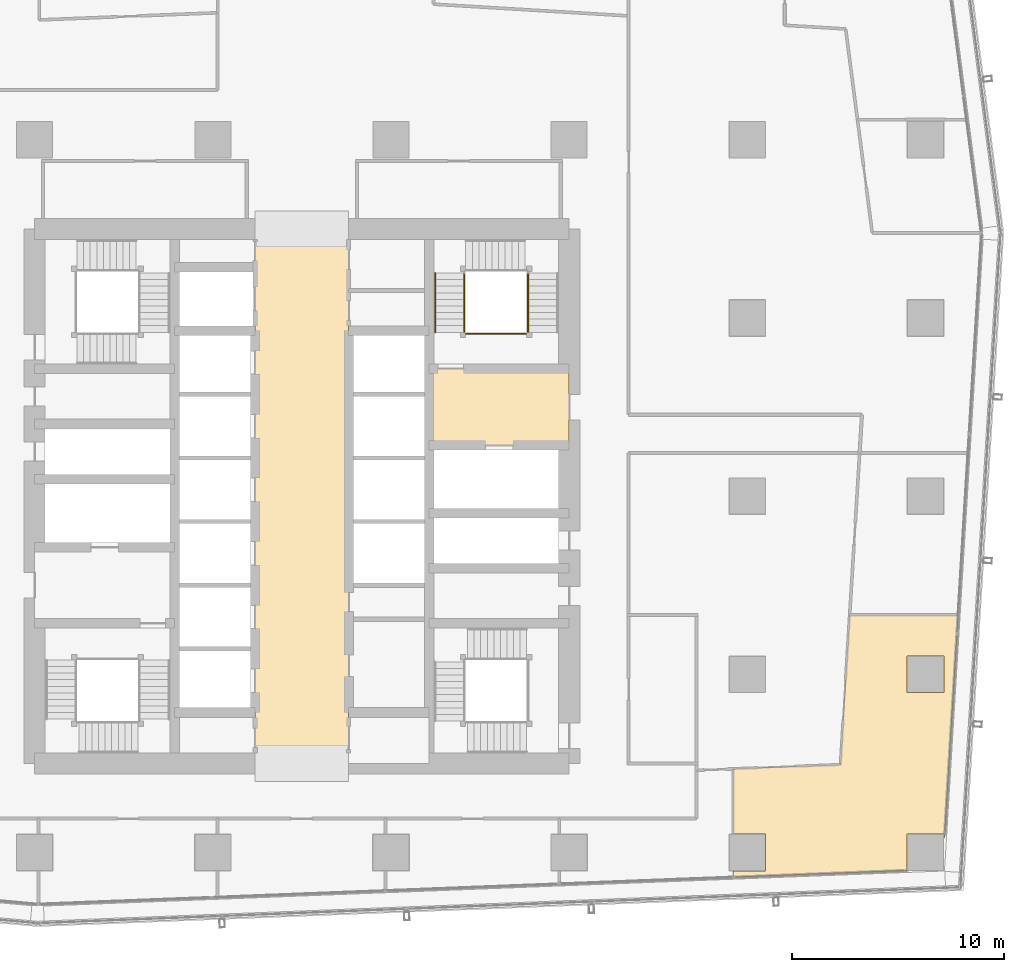
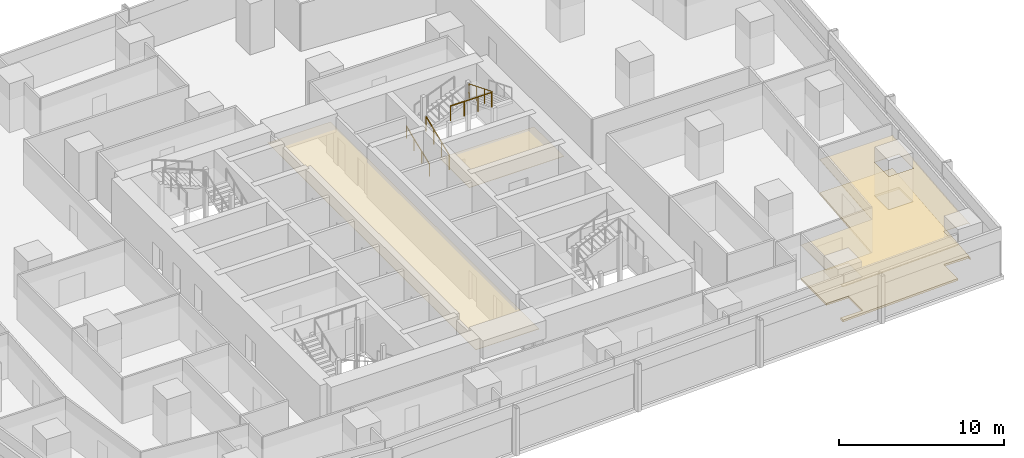
# One storey, part 38 of 40: 4 coverings, 4 railings.
"""IFC4 building model written with IfcOpenShell, lengths in metres."""

from ifc_helpers import new_model, si_unit, direction, frame, origin, origin_2d, place, context, subcontext, project, spatial, polyline, circle, outline, extrude, material, layer, layer_set, type_object, element, save


model = new_model("IFC4")

# Units and contexts
model_context = context("Model", 3, precision=1e-05, world=origin(), true_north=direction((0.0, 1.0)))
body_context = subcontext(model_context, "Body", "Model", "MODEL_VIEW")
ifc_project = project(units=[si_unit("LENGTHUNIT", "METRE"), si_unit("AREAUNIT", "SQUARE_METRE"), si_unit("VOLUMEUNIT", "CUBIC_METRE"), si_unit("PLANEANGLEUNIT", "RADIAN"), si_unit("MASSUNIT", "GRAM", prefix="KILO")], contexts=[model_context])

# Site, building, storey
site_placement = place(None, origin())
site = spatial("IfcSite", under=ifc_project, at=site_placement, CompositionType="ELEMENT")
building_placement = place(site_placement, origin())
building = spatial("IfcBuilding", under=site, at=building_placement, Name="Rekha Terrace Tower", CompositionType="ELEMENT")
storey_placement = place(building_placement, frame((0.0, 0.0, 132.800048828125)))
storey = spatial("IfcBuildingStorey", under=building, at=storey_placement, Name="L33", CompositionType="ELEMENT", Elevation=132.800048828125)

# Coverings
ifc_material_1 = material(Name="Mineral fibre tile in exposed grid", Category="finish")
ifc_layer_1 = layer(ifc_material_1, 0.02001953125)
ifc_layer_set_1 = layer_set([ifc_layer_1], Name="Mineral fibre tile in exposed grid")
covering_type_1 = type_object("IfcCoveringType", Name="CL1 600x1200 office grid ceiling", PredefinedType="CEILING", material=ifc_layer_set_1)
covering_1_placement = place(storey_placement, frame((0.0, 0.0, 2.579833984375)))
element("IfcCovering", 1, at=covering_1_placement, inside=storey, type_object=covering_type_1, Name="Ceiling L33-04", PredefinedType="CEILING", context=body_context, shape_type="SweptSolid", body=[
    extrude(outline(polyline([(63.625, 27.99609375), (63.193115234375, 20.93896484375), (58.134033203125, 20.741943359375), (58.134033203125, 17.6650390625), (59.6650390625, 17.6650390625), (59.6650390625, 15.93505859375), (58.134033203125, 15.93505859375), (58.134033203125, 15.637939453125), (66.3349609375, 15.95703125), (66.3349609375, 17.6650390625), (68.06494140625, 17.6650390625), (68.06494140625, 17.48095703125), (68.090087890625, 17.48095703125), (68.735107421875, 27.99609375), (63.625, 27.99609375)]), holes=[polyline([(68.06494140625, 24.3349609375), (66.3349609375, 24.3349609375), (66.3349609375, 26.06494140625), (68.06494140625, 26.06494140625), (68.06494140625, 24.3349609375)])]), origin(), (0.0, 0.0, 1.0), 0.02001953125),
])
ifc_material_2 = material(Name="Powder-coated aluminium pan", Category="aluminium")
ifc_layer_2 = layer(ifc_material_2, 0.030029296875)
ifc_layer_set_2 = layer_set([ifc_layer_2], Name="Powder-coated aluminium pan")
covering_type_2 = type_object("IfcCoveringType", Name="CL3 300x1200 metal pan ceiling", PredefinedType="CEILING", material=ifc_layer_set_2)
covering_2_placement = place(storey_placement, frame((0.0, 0.0, 2.570068359375)))
element("IfcCovering", 2, at=covering_2_placement, inside=storey, type_object=covering_type_2, Name="Ceiling L33-LOBBY", PredefinedType="CEILING", context=body_context, shape_type="SweptSolid", body=[
    extrude(outline(polyline([(40.0, 46.199951171875), (35.60009765625, 46.199951171875), (35.60009765625, 21.0), (40.0, 21.0), (40.0, 46.199951171875)])), origin(), (0.0, 0.0, 1.0), 0.02978515625),
])
covering_3_placement = place(storey_placement, frame((0.0, 0.0, 2.570068359375)))
element("IfcCovering", 3, at=covering_3_placement, inside=storey, type_object=covering_type_2, Name="Ceiling L33-FLB2", PredefinedType="CEILING", context=body_context, shape_type="SweptSolid", body=[
    extrude(outline(polyline([(50.39990234375, 39.60009765625), (43.800048828125, 39.60009765625), (43.800048828125, 36.0), (50.39990234375, 36.0), (50.39990234375, 39.60009765625)])), origin(), (0.0, 0.0, 1.0), 0.02978515625),
])

# Railings
ifc_material_3 = material(Name="Stainless steel balustrade", Category="steel")
railing_type_1 = type_object("IfcRailingType", Name="GR1 1100 stair guard", PredefinedType="GUARDRAIL", material=ifc_material_3)
railing_1_placement = place(storey_placement, frame((45.465087890625, 41.324951171875, 0.125)))
element("IfcRailing", 4, at=railing_1_placement, inside=storey, type_object=railing_type_1, Name="Guard ST2 L33 flight 1", PredefinedType="GUARDRAIL", context=body_context, shape_type="SweptSolid", body=[
    extrude(circle(Radius=0.02392578125, at=origin_2d()), frame((0.0, 0.0, 1.076171875), z_axis=(0.0, 0.927443287984, 0.373963831907), x_axis=(-1.0, 0.0, 0.0)), (0.0, 0.0, 1.0), 3.00830078125),
    extrude(circle(Radius=0.02099609375, at=origin_2d()), origin(), (0.0, 0.0, 1.0), 1.052001953125),
    extrude(circle(Radius=0.02099609375, at=origin_2d()), frame((0.0, 0.929931640625, 0.375)), (0.0, 0.0, 1.0), 1.052001953125),
    extrude(circle(Radius=0.02099609375, at=origin_2d()), frame((0.0, 1.860107421875, 0.75)), (0.0, 0.0, 1.0), 1.052001953125),
    extrude(circle(Radius=0.02099609375, at=origin_2d()), frame((0.0, 2.7900390625, 1.125)), (0.0, 0.0, 1.0), 1.052001953125),
])
railing_2_placement = place(storey_placement, frame((48.4599609375, 44.114990234375, 2.625)))
element("IfcRailing", 5, at=railing_2_placement, inside=storey, type_object=railing_type_1, Name="Guard ST2 L33 flight 3", PredefinedType="GUARDRAIL", context=body_context, shape_type="SweptSolid", body=[
    extrude(circle(Radius=0.02392578125, at=origin_2d()), frame((0.0, 0.0, 1.076171875), z_axis=(0.0, -0.927443287984, 0.373963831907), x_axis=(1.0, 0.0, 0.0)), (0.0, 0.0, 1.0), 3.00830078125),
    extrude(circle(Radius=0.02099609375, at=origin_2d()), origin(), (0.0, 0.0, 1.0), 1.052001953125),
    extrude(circle(Radius=0.02099609375, at=origin_2d()), frame((0.0, -0.929931640625, 0.375)), (0.0, 0.0, 1.0), 1.052001953125),
    extrude(circle(Radius=0.02099609375, at=origin_2d()), frame((0.0, -1.860107421875, 0.75)), (0.0, 0.0, 1.0), 1.052001953125),
    extrude(circle(Radius=0.02099609375, at=origin_2d()), frame((0.0, -2.7900390625, 1.125)), (0.0, 0.0, 1.0), 1.052001953125),
])
railing_3_placement = place(storey_placement, frame((45.52490234375, 41.264892578125, 3.75)))
element("IfcRailing", 6, at=railing_3_placement, inside=storey, type_object=railing_type_1, Name="Guard ST2 L33 landing 4", PredefinedType="GUARDRAIL", context=body_context, shape_type="SweptSolid", body=[
    extrude(circle(Radius=0.02392578125, at=origin_2d()), frame((0.0, 0.0, 1.076171875), z_axis=(1.0, 0.0, 0.0), x_axis=(0.0, 1.0, 0.0)), (0.0, 0.0, 1.0), 2.875),
    extrude(circle(Radius=0.02099609375, at=origin_2d()), origin(), (0.0, 0.0, 1.0), 1.052001953125),
    extrude(circle(Radius=0.02099609375, at=origin_2d()), frame((0.958251953125, 0.0, 0.0)), (0.0, 0.0, 1.0), 1.052001953125),
    extrude(circle(Radius=0.02099609375, at=origin_2d()), frame((1.916748046875, 0.0, 0.0)), (0.0, 0.0, 1.0), 1.052001953125),
    extrude(circle(Radius=0.02099609375, at=origin_2d()), frame((2.875, 0.0, 0.0)), (0.0, 0.0, 1.0), 1.052001953125),
])
ifc_material_4 = material(Name="Stainless steel tube", Category="steel")
railing_type_2 = type_object("IfcRailingType", Name="HR1 900 stair handrail", PredefinedType="HANDRAIL", material=ifc_material_4)
railing_4_placement = place(storey_placement, frame((44.0849609375, 41.324951171875, 0.125)))
element("IfcRailing", 7, at=railing_4_placement, inside=storey, type_object=railing_type_2, Name="Handrail ST2 L33 flight 1", PredefinedType="HANDRAIL", context=body_context, shape_type="SweptSolid", body=[
    extrude(circle(Radius=0.02392578125, at=origin_2d()), frame((0.0, 0.0, 0.8759765625), z_axis=(0.0, 0.927443287984, 0.373963831907), x_axis=(-1.0, 0.0, 0.0)), (0.0, 0.0, 1.0), 3.00830078125),
    extrude(circle(Radius=0.02099609375, at=origin_2d()), origin(), (0.0, 0.0, 1.0), 0.851806640625),
    extrude(circle(Radius=0.02099609375, at=origin_2d()), frame((0.0, 0.929931640625, 0.375)), (0.0, 0.0, 1.0), 0.851806640625),
    extrude(circle(Radius=0.02099609375, at=origin_2d()), frame((0.0, 1.860107421875, 0.75)), (0.0, 0.0, 1.0), 0.851806640625),
    extrude(circle(Radius=0.02099609375, at=origin_2d()), frame((0.0, 2.7900390625, 1.125)), (0.0, 0.0, 1.0), 0.851806640625),
])

# Covering
ifc_material_5 = material(Name="Calcium sulphate panels on steel pedestals", Category="steel")
ifc_layer_3 = layer(ifc_material_5, 0.14990234375)
ifc_layer_set_3 = layer_set([ifc_layer_3], Name="Calcium sulphate panels on steel pedestals")
covering_type_3 = type_object("IfcCoveringType", Name="RF1 150 raised access floor", PredefinedType="FLOORING", material=ifc_layer_set_3)
covering_4_placement = place(storey_placement, origin())
element("IfcCovering", 8, at=covering_4_placement, inside=storey, type_object=covering_type_3, Name="Raised floor L33-04", PredefinedType="FLOORING", context=body_context, shape_type="SweptSolid", body=[
    extrude(outline(polyline([(63.625, 27.99609375), (63.193115234375, 20.93896484375), (58.134033203125, 20.741943359375), (58.134033203125, 17.6650390625), (59.6650390625, 17.6650390625), (59.6650390625, 15.93505859375), (58.134033203125, 15.93505859375), (58.134033203125, 15.637939453125), (66.3349609375, 15.95703125), (66.3349609375, 17.6650390625), (68.06494140625, 17.6650390625), (68.06494140625, 17.48095703125), (68.090087890625, 17.48095703125), (68.735107421875, 27.99609375), (63.625, 27.99609375)]), holes=[polyline([(68.06494140625, 24.3349609375), (66.3349609375, 24.3349609375), (66.3349609375, 26.06494140625), (68.06494140625, 26.06494140625), (68.06494140625, 24.3349609375)])]), origin(), (0.0, 0.0, 1.0), 0.14990234375),
])

save(model, "model.ifc")
